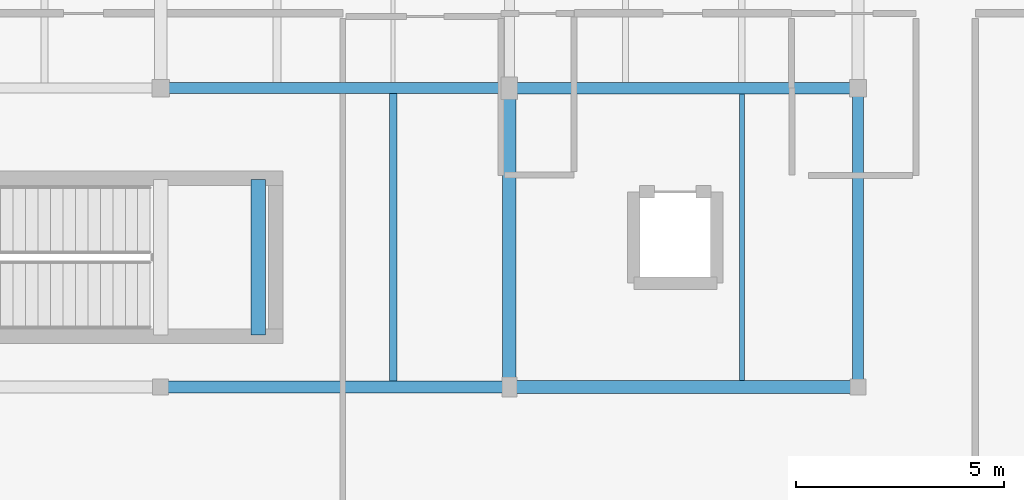
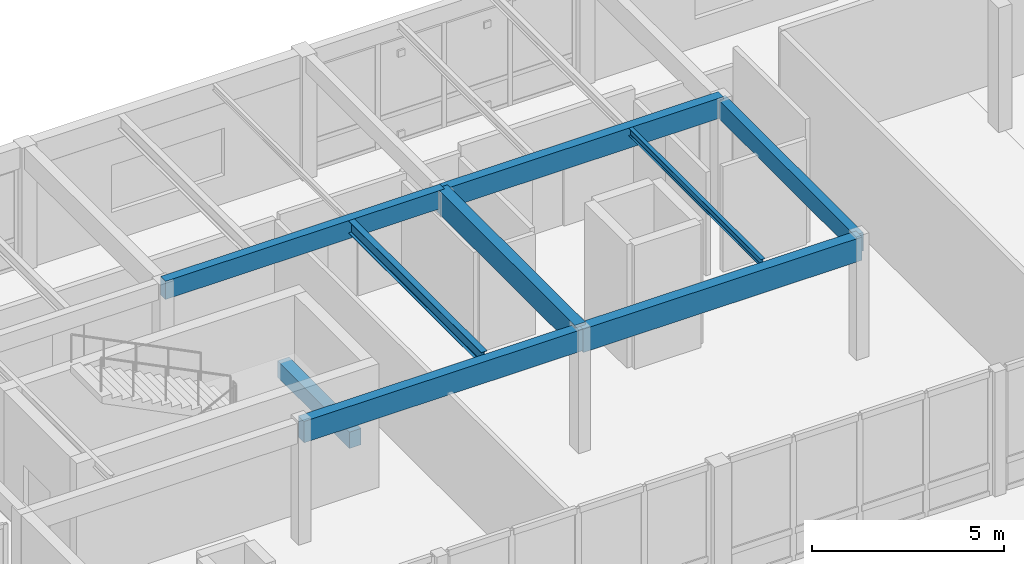
# One storey, part 43 of 217: 9 beams.
"""IFC4 building model written with IfcOpenShell, lengths in metres."""

from ifc_helpers import new_model, si_unit, direction, frame, origin, origin_2d, place, context, subcontext, project, spatial, rectangle, i_section, extrude, material, material_profile, profile_set, type_object, element, save


model = new_model("IFC4")

# Units and contexts
model_context = context("Model", 3, precision=1e-05, world=origin(), true_north=direction((0.0, 1.0)))
body_context = subcontext(model_context, "Body", "Model", "MODEL_VIEW")
ifc_project = project(units=[si_unit("LENGTHUNIT", "METRE"), si_unit("AREAUNIT", "SQUARE_METRE"), si_unit("VOLUMEUNIT", "CUBIC_METRE"), si_unit("PLANEANGLEUNIT", "RADIAN"), si_unit("MASSUNIT", "GRAM", prefix="KILO")], contexts=[model_context])

# Site, building, storey
site_placement = place(None, origin())
site = spatial("IfcSite", under=ifc_project, at=site_placement, CompositionType="ELEMENT")
building_placement = place(site_placement, origin())
building = spatial("IfcBuilding", under=site, at=building_placement, Name="Mazaris Harbour Polytechnic", CompositionType="ELEMENT")
storey_placement = place(building_placement, frame((0.0, 0.0, 9.60009765625)))
storey = spatial("IfcBuildingStorey", under=building, at=storey_placement, Name="L02", CompositionType="ELEMENT", Elevation=9.60009765625)

# Beams
ifc_material_1 = material(Name="Glulam GL32h", Category="wood")
ifc_material_profile_1 = material_profile(ifc_material_1, rectangle(XDim=0.260009765625, YDim=0.580078125, at=origin_2d()), Name="RECT260x580")
ifc_profile_set_1 = profile_set([ifc_material_profile_1], Name="Glulam GL32h")
beam_type_1 = type_object("IfcBeamType", Name="Glulam Girder 260x580", PredefinedType="BEAM", material=ifc_profile_set_1)
beam_1_placement = place(storey_placement, frame((62.39990234375, 28.800048828125, 3.64501953125), z_axis=(1.0, 0.0, 0.0), x_axis=(0.0, 1.0, 0.0)))
element("IfcBeam", 1, at=beam_1_placement, inside=storey, type_object=beam_type_1, Name="V3 L02 Girder 1061", PredefinedType="BEAM", context=body_context, shape_type="SweptSolid", body=[
    extrude(rectangle(XDim=0.260009765625, YDim=0.580078125, at=origin_2d()), origin(), (0.0, 0.0, 1.0), 8.400146484375),
])
ifc_material_2 = material(Name="Glulam GL32h", Category="wood")
ifc_material_profile_2 = material_profile(ifc_material_2, rectangle(XDim=0.260009765625, YDim=0.580078125, at=origin_2d()), Name="RECT260x580")
ifc_profile_set_2 = profile_set([ifc_material_profile_2], Name="Glulam GL32h")
beam_type_2 = type_object("IfcBeamType", Name="Glulam Girder 260x580 Exterior", PredefinedType="BEAM", material=ifc_profile_set_2)
beam_2_placement = place(storey_placement, frame((79.199951171875, 21.60009765625, 3.559814453125), z_axis=(0.0, 1.0, 0.0), x_axis=(-1.0, 0.0, 0.0)))
element("IfcBeam", 2, at=beam_2_placement, inside=storey, type_object=beam_type_2, Name="V3 L02 Tie Girder 1071", PredefinedType="BEAM", context=body_context, shape_type="SweptSolid", body=[
    extrude(rectangle(XDim=0.260009765625, YDim=0.580078125, at=origin_2d()), origin(), (0.0, 0.0, 1.0), 7.199951171875),
])
ifc_material_3 = material(Name="Glulam GL32h", Category="wood")
ifc_material_profile_3 = material_profile(ifc_material_3, rectangle(XDim=0.280029296875, YDim=0.639892578125, at=origin_2d()), Name="RECT280x640")
ifc_profile_set_3 = profile_set([ifc_material_profile_3], Name="Glulam GL32h")
beam_type_3 = type_object("IfcBeamType", Name="Glulam Girder 280x640", PredefinedType="BEAM", material=ifc_profile_set_3)
beam_3_placement = place(storey_placement, frame((70.800048828125, 28.800048828125, 3.614990234375), z_axis=(1.0, 0.0, 0.0), x_axis=(0.0, 1.0, 0.0)))
element("IfcBeam", 3, at=beam_3_placement, inside=storey, type_object=beam_type_3, Name="V3 L02 Girder 1062", PredefinedType="BEAM", context=body_context, shape_type="SweptSolid", body=[
    extrude(rectangle(XDim=0.280029296875, YDim=0.639892578125, at=origin_2d()), origin(), (0.0, 0.0, 1.0), 8.39990234375),
])
ifc_material_4 = material(Name="Glulam GL32h", Category="wood")
ifc_material_profile_4 = material_profile(ifc_material_4, rectangle(XDim=0.300048828125, YDim=0.679931640625, at=origin_2d()), Name="RECT300x680")
ifc_profile_set_4 = profile_set([ifc_material_profile_4], Name="Glulam GL32h")
beam_type_4 = type_object("IfcBeamType", Name="Glulam Girder 300x680 Exterior", PredefinedType="BEAM", material=ifc_profile_set_4)
beam_4_placement = place(storey_placement, frame((62.39990234375, 21.60009765625, 3.510009765625), z_axis=(1.0, 0.0, 0.0), x_axis=(0.0, 1.0, 0.0)))
element("IfcBeam", 4, at=beam_4_placement, inside=storey, type_object=beam_type_4, Name="V3 L02 Girder 1058", PredefinedType="BEAM", context=body_context, shape_type="SweptSolid", body=[
    extrude(rectangle(XDim=0.300048828125, YDim=0.679931640625, at=origin_2d()), origin(), (0.0, 0.0, 1.0), 8.400146484375),
])
ifc_material_5 = material(Name="Glulam GL32h", Category="wood")
ifc_material_profile_5 = material_profile(ifc_material_5, rectangle(XDim=0.320068359375, YDim=0.739990234375, at=origin_2d()), Name="RECT320x740")
ifc_profile_set_5 = profile_set([ifc_material_profile_5], Name="Glulam GL32h")
beam_type_5 = type_object("IfcBeamType", Name="Glulam Girder 320x740", PredefinedType="BEAM", material=ifc_profile_set_5)
beam_5_placement = place(storey_placement, frame((70.800048828125, 21.60009765625, 3.56494140625), z_axis=(0.0, 1.0, 0.0), x_axis=(-1.0, 0.0, 0.0)))
element("IfcBeam", 5, at=beam_5_placement, inside=storey, type_object=beam_type_5, Name="V3 L02 Tie Girder 1069", PredefinedType="BEAM", context=body_context, shape_type="SweptSolid", body=[
    extrude(rectangle(XDim=0.320068359375, YDim=0.739990234375, at=origin_2d()), origin(), (0.0, 0.0, 1.0), 7.199951171875),
])
ifc_material_6 = material(Name="Glulam GL32h", Category="wood")
ifc_material_profile_6 = material_profile(ifc_material_6, rectangle(XDim=0.320068359375, YDim=0.739990234375, at=origin_2d()), Name="RECT320x740")
ifc_profile_set_6 = profile_set([ifc_material_profile_6], Name="Glulam GL32h")
beam_type_6 = type_object("IfcBeamType", Name="Glulam Girder 320x740 Exterior", PredefinedType="BEAM", material=ifc_profile_set_6)
beam_6_placement = place(storey_placement, frame((70.800048828125, 21.60009765625, 3.47998046875), z_axis=(1.0, 0.0, 0.0), x_axis=(0.0, 1.0, 0.0)))
element("IfcBeam", 6, at=beam_6_placement, inside=storey, type_object=beam_type_6, Name="V3 L02 Girder 1059", PredefinedType="BEAM", context=body_context, shape_type="SweptSolid", body=[
    extrude(rectangle(XDim=0.320068359375, YDim=0.739990234375, at=origin_2d()), origin(), (0.0, 0.0, 1.0), 8.39990234375),
])
ifc_material_7 = material(Name="Concrete C40/50", Category="concrete")
ifc_material_profile_7 = material_profile(ifc_material_7, rectangle(XDim=0.35009765625, YDim=0.52001953125, at=origin_2d()), Name="RECT350x520")
ifc_profile_set_7 = profile_set([ifc_material_profile_7], Name="Concrete C40/50")
beam_type_7 = type_object("IfcBeamType", Name="RC Landing Bearer 350x520", PredefinedType="BEAM", material=ifc_profile_set_7)
beam_7_placement = place(storey_placement, frame((64.75, 22.85009765625, 1.639892578125), z_axis=(0.0, 1.0, 0.0), x_axis=(-1.0, 0.0, 0.0)))
element("IfcBeam", 7, at=beam_7_placement, inside=storey, type_object=beam_type_7, Name="Core ST05 L02 Landing Bearer", PredefinedType="BEAM", context=body_context, shape_type="SweptSolid", body=[
    extrude(rectangle(XDim=0.35009765625, YDim=0.52001953125, at=origin_2d()), origin(), (0.0, 0.0, 1.0), 3.75),
])
ifc_material_8 = material(Name="Steel S355", Category="steel")
ifc_material_profile_8 = material_profile(ifc_material_8, i_section(OverallWidth=0.1201171875, OverallDepth=0.239990234375, WebThickness=0.006103515625, FlangeThickness=0.009765625, FilletRadius=0.014892578125, at=origin_2d()), Name="IPE 240")
ifc_profile_set_8 = profile_set([ifc_material_profile_8], Name="Steel S355")
beam_type_8 = type_object("IfcBeamType", Name="Steel Joist IPE240", PredefinedType="JOIST", material=ifc_profile_set_8)
beam_8_placement = place(storey_placement, frame((76.39990234375, 21.760009765625, 3.81494140625), z_axis=(0.0, 1.0, 0.0), x_axis=(-1.0, 0.0, 0.0)))
element("IfcBeam", 8, at=beam_8_placement, inside=storey, type_object=beam_type_8, Name="V3 L02 Floor Joist 1079", PredefinedType="JOIST", context=body_context, shape_type="SweptSolid", body=[
    extrude(i_section(OverallWidth=0.1201171875, OverallDepth=0.239990234375, WebThickness=0.006103515625, FlangeThickness=0.009765625, FilletRadius=0.014892578125, at=origin_2d()), origin(), (0.0, 0.0, 1.0), 6.89990234375),
])
ifc_material_9 = material(Name="Steel S355", Category="steel")
ifc_material_profile_9 = material_profile(ifc_material_9, i_section(OverallWidth=0.179931640625, OverallDepth=0.39990234375, WebThickness=0.008544921875, FlangeThickness=0.013427734375, FilletRadius=0.02099609375, at=origin_2d()), Name="IPE 400")
ifc_profile_set_9 = profile_set([ifc_material_profile_9], Name="Steel S355")
beam_type_9 = type_object("IfcBeamType", Name="Steel Joist IPE400", PredefinedType="JOIST", material=ifc_profile_set_9)
beam_9_placement = place(storey_placement, frame((68.0, 21.75, 3.73486328125), z_axis=(0.0, 1.0, 0.0), x_axis=(-1.0, 0.0, 0.0)))
element("IfcBeam", 9, at=beam_9_placement, inside=storey, type_object=beam_type_9, Name="V3 L02 Floor Joist 1076", PredefinedType="JOIST", context=body_context, shape_type="SweptSolid", body=[
    extrude(i_section(OverallWidth=0.179931640625, OverallDepth=0.39990234375, WebThickness=0.008544921875, FlangeThickness=0.013427734375, FilletRadius=0.02099609375, at=origin_2d()), origin(), (0.0, 0.0, 1.0), 6.919921875),
])

save(model, "model.ifc")
